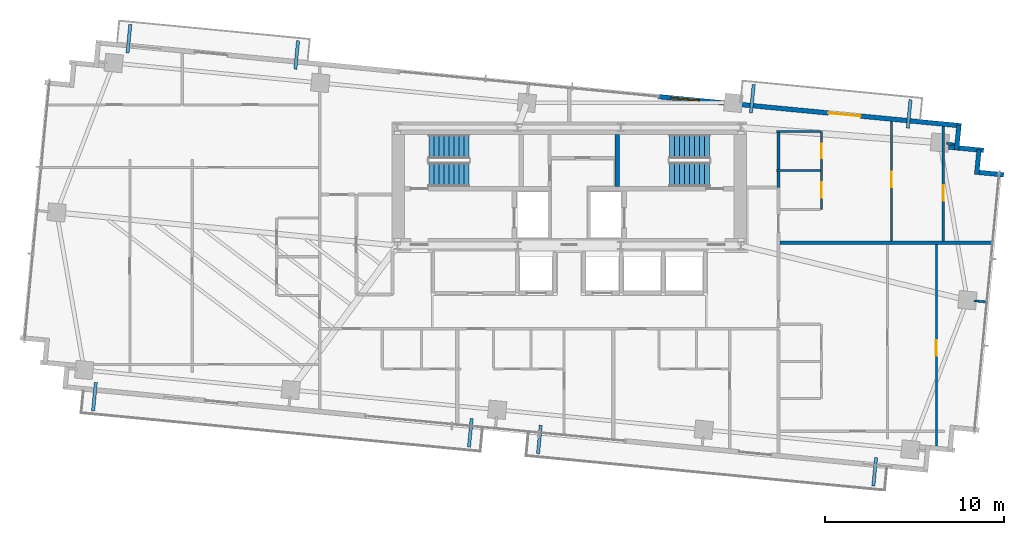
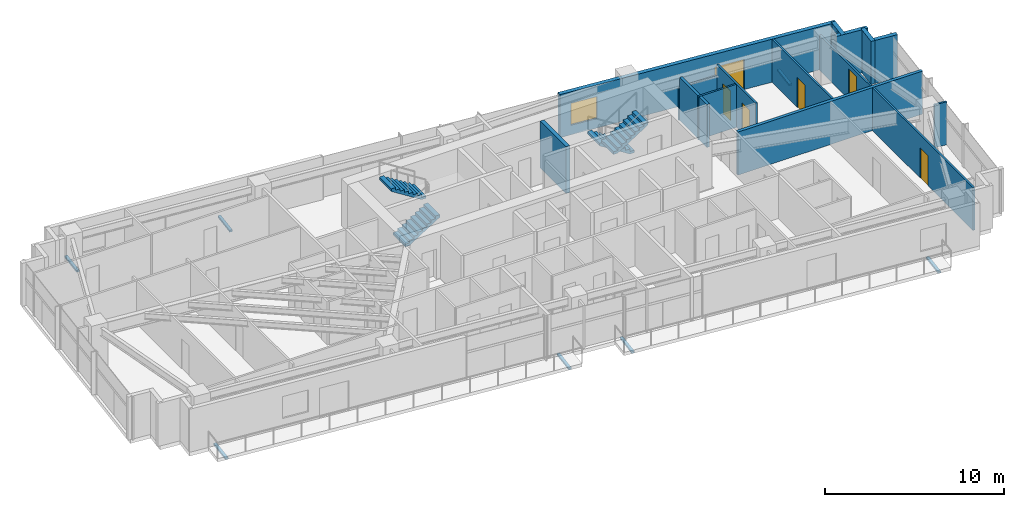
# One storey, part 17 of 19: 17 walls, 8 discrete accessories, 6 doors, 4 stair flights, 1 window, 7 openings, 2 elements without a shape of their own.
"""IFC4 building model written with IfcOpenShell, lengths in metres."""

from ifc_helpers import new_model, si_unit, direction, frame, frame_2d, origin, origin_2d, place, context, subcontext, project, spatial, polyline, rectangle, outline, extrude, source, transform, mapped, material, layer, layer_set, type_object, type_shapes, element, fill, aggregate, save


model = new_model("IFC4")

# Units and contexts
model_context = context("Model", 3, precision=1e-05, world=origin(), true_north=direction((0.0, 1.0)))
body_context = subcontext(model_context, "Body", "Model", "MODEL_VIEW")
ifc_project = project(units=[si_unit("LENGTHUNIT", "METRE"), si_unit("AREAUNIT", "SQUARE_METRE"), si_unit("VOLUMEUNIT", "CUBIC_METRE"), si_unit("PLANEANGLEUNIT", "RADIAN"), si_unit("MASSUNIT", "GRAM", prefix="KILO")], contexts=[model_context])

# Site, building, storey
site_placement = place(None, origin())
site = spatial("IfcSite", under=ifc_project, at=site_placement, CompositionType="ELEMENT")
building_placement = place(site_placement, origin())
building = spatial("IfcBuilding", under=site, at=building_placement, Name="Astriad Promenade Condominiums", CompositionType="ELEMENT")
storey_placement = place(building_placement, frame((0.0, 0.0, 143.800048828125)))
storey = spatial("IfcBuildingStorey", under=building, at=storey_placement, Name="L41", CompositionType="ELEMENT", Elevation=143.800048828125)

# Walls
ifc_material_1 = material(Name="Concrete C50/60", Category="concrete")
ifc_layer_1 = layer(ifc_material_1, 0.25)
ifc_layer_set_1 = layer_set([ifc_layer_1], Name="Concrete C50/60")
wall_type_1 = type_object("IfcWallType", Name="WALL-CORE-INT-250", PredefinedType="SOLIDWALL", material=ifc_layer_set_1)
wall_1_placement = place(storey_placement, frame((38.675048828125, 20.701904296875, 0.0), z_axis=(0.0, 0.0, 1.0), x_axis=(0.0, 1.0, 0.0)))
element("IfcWall", 1, at=wall_1_placement, inside=storey, type_object=wall_type_1, Name="CW-ST2-W-L41", PredefinedType="SOLIDWALL", context=body_context, shape_type="SweptSolid", body=[
    extrude(rectangle(XDim=2.89599609375, YDim=0.25, at=frame_2d((1.447998046875, 0.0))), origin(), (0.0, 0.0, 1.0), 3.199951171875),
])
ifc_material_2 = material(Name="Fire-Rated Gypsum Partition")
ifc_layer_2 = layer(ifc_material_2, 0.159912109375)
ifc_layer_set_2 = layer_set([ifc_layer_2], Name="Fire-Rated Gypsum Partition")
wall_type_2 = type_object("IfcWallType", Name="WALL-CORR-160", PredefinedType="PARTITIONING", material=ifc_layer_set_2)
wall_2_placement = place(storey_placement, frame((47.699951171875, 20.64990234375, 0.0), z_axis=(0.0, 0.0, 1.0), x_axis=(0.0, 1.0, 0.0)))
element("IfcWall", 2, at=wall_2_placement, inside=storey, type_object=wall_type_2, Name="PT-L41-E2-PBK", PredefinedType="PARTITIONING", context=body_context, shape_type="SweptSolid", body=[
    extrude(rectangle(XDim=0.883056640625, YDim=0.159912109375, at=frame_2d((0.44140625, 0.0))), origin(), (0.0, 0.0, 1.0), 2.93994140625),
])
wall_3_placement = place(storey_placement, frame((47.699951171875, 21.656982421875, 0.0), z_axis=(0.0, 0.0, 1.0), x_axis=(0.0, 1.0, 0.0)))
element("IfcWall", 3, at=wall_3_placement, inside=storey, type_object=wall_type_2, Name="PT-L41-E2-PBK-S2", PredefinedType="PARTITIONING", context=body_context, shape_type="SweptSolid", body=[
    extrude(rectangle(XDim=2.051025390625, YDim=0.159912109375, at=frame_2d((1.025390625, 0.0))), origin(), (0.0, 0.0, 1.0), 2.93994140625),
])
ifc_material_3 = material(Name="Acoustic Double-Stud Gypsum Partition")
ifc_layer_3 = layer(ifc_material_3, 0.199951171875)
ifc_layer_set_3 = layer_set([ifc_layer_3], Name="Acoustic Double-Stud Gypsum Partition")
wall_type_3 = type_object("IfcWallType", Name="WALL-DEMISING-200", PredefinedType="PARTITIONING", material=ifc_layer_set_3)
wall_4_placement = place(storey_placement, frame((47.781982421875, 17.550048828125, 0.0), z_axis=(0.0, 0.0, 1.0), x_axis=(1.0, 0.0, 0.0)))
element("IfcWall", 4, at=wall_4_placement, inside=storey, type_object=wall_type_3, Name="PT-DEM-EE-L41", PredefinedType="PARTITIONING", context=body_context, shape_type="SweptSolid", body=[
    extrude(rectangle(XDim=11.933837890625, YDim=0.199951171875, at=frame_2d((5.966796875, 0.0))), origin(), (0.0, 0.0, 1.0), 2.93994140625),
])

# Wall, openings, door, window
ifc_material_4 = material(Name="Precast concrete C50/60", Category="concrete")
ifc_layer_4 = layer(ifc_material_4, 0.260009765625)
ifc_layer_set_4 = layer_set([ifc_layer_4], Name="Precast concrete C50/60")
wall_type_4 = type_object("IfcWallType", Name="WALL-EXT-TWR-260", PredefinedType="STANDARD", material=ifc_layer_set_4)
wall_5_placement = place(storey_placement, frame((40.9833984375, 25.726806640625, 0.0), z_axis=(0.0, 0.0, 1.0), x_axis=(0.995395844771, -0.095849424686, 0.0)))
wall_5 = element("IfcWall", 5, at=wall_5_placement, inside=storey, type_object=wall_type_4, Name="W-EXT-L41-N2", PredefinedType="STANDARD", context=body_context, shape_type="SweptSolid", body=[
    extrude(rectangle(XDim=17.009765625, YDim=0.260009765625, at=frame_2d((8.5048828125, 0.0))), origin(), (0.0, 0.0, 1.0), 2.93994140625),
])
opening_1_placement = place(wall_5_placement, frame((9.550048828125, 0.0, 0.0)))
opening_1 = element("IfcOpeningElement", 6, at=opening_1_placement, cuts=wall_5, Name="Opening BD-1822-SLD", PredefinedType="OPENING", context=body_context, shape_type="SweptSolid", body=[
    extrude(rectangle(XDim=1.800048828125, YDim=2.06005859375, at=frame_2d((0.89990234375, 1.030029296875))), frame((0.0, 0.139892578125, 0.0), z_axis=(0.0, -1.0, 0.0), x_axis=(1.0, 0.0, 0.0)), (0.0, 0.0, 1.0), 0.280029296875),
])
opening_2_placement = place(wall_5_placement, frame((0.699951171875, 0.0, 0.64990234375)))
opening_2 = element("IfcOpeningElement", 7, at=opening_2_placement, cuts=wall_5, Name="Opening WIN-TWR-1620", PredefinedType="OPENING", context=body_context, shape_type="SweptSolid", body=[
    extrude(rectangle(XDim=1.60009765625, YDim=1.5, at=frame_2d((0.800048828125, 0.75))), frame((0.0, 0.139892578125, 0.0), z_axis=(0.0, -1.0, 0.0), x_axis=(1.0, 0.0, 0.0)), (0.0, 0.0, 1.0), 0.280029296875),
])
ifc_material_5 = material(Name="Thermally Broken Aluminium Sliding Balcony Door", Category="aluminium")
door_type_1 = type_object("IfcDoorType", Name="BD-1822-SLD", OperationType="NOTDEFINED", PredefinedType="DOOR", material=ifc_material_5)
shared_shape_1 = source(origin(), body_context, "Body", "SweptSolid", [
    extrude(rectangle(XDim=1.800048828125, YDim=2.06005859375, at=frame_2d((0.89990234375, 1.030029296875))), frame((0.0, 0.02490234375, 0.0), z_axis=(0.0, -1.0, 0.0), x_axis=(1.0, 0.0, 0.0)), (0.0, 0.0, 1.0), 0.050048828125),
])
type_shapes(door_type_1, [shared_shape_1])
door_1_placement = place(opening_1_placement, origin())
door_1 = element("IfcDoor", 8, at=door_1_placement, inside=storey, type_object=door_type_1, Name="BD-L41-NE", OperationType="SLIDING_TO_RIGHT", OverallHeight=2.06005859375, OverallWidth=1.800048828125, PredefinedType="DOOR", context=body_context, shape_type="MappedRepresentation", body=[
    mapped(shared_shape_1, transform((0.0, 0.0, 0.0), scale=1.0)),
])
fill(opening_1, door_1)
ifc_material_6 = material(Name="Dark Tinted Triple-Glazed Aluminium Window", Category="aluminium")
window_type = type_object("IfcWindowType", Name="WIN-TWR-1620", PartitioningType="SINGLE_PANEL", PredefinedType="WINDOW", material=ifc_material_6)
shared_shape_2 = source(origin(), body_context, "Body", "SweptSolid", [
    extrude(rectangle(XDim=1.60009765625, YDim=1.5, at=frame_2d((0.800048828125, 0.75))), frame((0.0, 0.030029296875, 0.0), z_axis=(0.0, -1.0, 0.0), x_axis=(1.0, 0.0, 0.0)), (0.0, 0.0, 1.0), 0.06005859375),
])
type_shapes(window_type, [shared_shape_2])
window_placement = place(opening_2_placement, origin())
window = element("IfcWindow", 9, at=window_placement, inside=storey, type_object=window_type, Name="WIN-L41-NE", OverallHeight=1.5, OverallWidth=1.60009765625, PartitioningType="SINGLE_PANEL", PredefinedType="WINDOW", context=body_context, shape_type="MappedRepresentation", body=[
    mapped(shared_shape_2, transform((0.0, 0.0, 0.0), scale=1.0)),
])
fill(opening_2, window)

# Walls
wall_6_placement = place(storey_placement, frame((57.787109375, 24.123779296875, 0.0), z_axis=(0.0, 0.0, 1.0), x_axis=(-0.095915846097, -0.995389446633, 0.0)))
element("IfcWall", 10, at=wall_6_placement, inside=storey, type_object=wall_type_4, Name="W-SER-L41-09", PredefinedType="STANDARD", context=body_context, shape_type="SweptSolid", body=[
    extrude(rectangle(XDim=1.394775390625, YDim=0.260009765625, at=frame_2d((0.697265625, 0.0))), origin(), (0.0, 0.0, 1.0), 2.93994140625),
])
wall_7_placement = place(storey_placement, frame((57.199951171875, 22.909423828125, 0.0), z_axis=(0.0, 0.0, 1.0), x_axis=(0.995401789159, -0.095787672171, 0.0)))
element("IfcWall", 11, at=wall_7_placement, inside=storey, type_object=wall_type_4, Name="W-SER-L41-10", PredefinedType="STANDARD", context=body_context, shape_type="SweptSolid", body=[
    extrude(rectangle(XDim=1.977783203125, YDim=0.260009765625, at=frame_2d((0.98876953125, 0.0))), origin(), (0.0, 0.0, 1.0), 2.93994140625),
])
for number, where, z_axis, x_axis, name in (
    (12, (58.91162109375, 22.759765625, 0.0), (0.0, 0.0, 1.0), (-0.096072523012, -0.995374336781, 0.0), "W-SER-L41-11"),
    (13, (58.904541015625, 21.489501953125, 0.0), (0.0, 0.0, 1.0), (0.995391056452, -0.09589913835, 0.0), "W-SER-L41-12"),
):
    element("IfcWall", number, at=place(storey_placement, frame(where, z_axis=z_axis, x_axis=x_axis)), inside=storey, type_object=wall_type_4, Name=name, PredefinedType="STANDARD", context=body_context, shape_type="SweptSolid", body=[
        extrude(rectangle(XDim=1.39501953125, YDim=0.260009765625, at=frame_2d((0.697509765625, 0.0))), origin(), (0.0, 0.0, 1.0), 2.93994140625),
    ])

# Wall, opening, door
ifc_material_7 = material(Name="Acoustic Metal-Stud Gypsum Partition")
ifc_layer_5 = layer(ifc_material_7, 0.1201171875)
ifc_layer_set_5 = layer_set([ifc_layer_5], Name="Acoustic Metal-Stud Gypsum Partition")
wall_type_5 = type_object("IfcWallType", Name="WALL-PART-120", PredefinedType="PARTITIONING", material=ifc_layer_set_5)
wall_8_placement = place(storey_placement, frame((56.52587890625, 6.189208984375, 0.0), z_axis=(0.0, 0.0, 1.0), x_axis=(0.0, 1.0, 0.0)))
wall_8 = element("IfcWall", 14, at=wall_8_placement, inside=storey, type_object=wall_type_5, Name="PT-L41-E1-B1", PredefinedType="PARTITIONING", context=body_context, shape_type="SweptSolid", body=[
    extrude(rectangle(XDim=11.2587890625, YDim=0.1201171875, at=frame_2d((5.62939453125, 0.0))), origin(), (0.0, 0.0, 1.0), 2.93994140625),
])
opening_3_placement = place(wall_8_placement, frame((5.06396484375, 0.0, 0.0)))
opening_3 = element("IfcOpeningElement", 15, at=opening_3_placement, cuts=wall_8, Name="Opening D-INT-085", PredefinedType="OPENING", context=body_context, shape_type="SweptSolid", body=[
    extrude(rectangle(XDim=0.85009765625, YDim=2.050048828125, at=frame_2d((0.425048828125, 1.02490234375))), frame((0.0, 0.070068359375, 0.0), z_axis=(0.0, -1.0, 0.0), x_axis=(1.0, 0.0, 0.0)), (0.0, 0.0, 1.0), 0.14013671875),
])
ifc_material_8 = material(Name="Painted Solid-Core Timber Room Door", Category="wood")
door_type_2 = type_object("IfcDoorType", Name="D-INT-085", OperationType="NOTDEFINED", PredefinedType="DOOR", material=ifc_material_8)
shared_shape_3 = source(origin(), body_context, "Body", "SweptSolid", [
    extrude(rectangle(XDim=0.85009765625, YDim=2.050048828125, at=frame_2d((0.425048828125, 1.02490234375))), frame((0.0, 0.02490234375, 0.0), z_axis=(0.0, -1.0, 0.0), x_axis=(1.0, 0.0, 0.0)), (0.0, 0.0, 1.0), 0.050048828125),
])
type_shapes(door_type_2, [shared_shape_3])
door_2_placement = place(opening_3_placement, origin())
door_2 = element("IfcDoor", 16, at=door_2_placement, inside=storey, type_object=door_type_2, Name="D-BD1-L41-E1", OperationType="SINGLE_SWING_RIGHT", OverallHeight=2.050048828125, OverallWidth=0.85009765625, PredefinedType="DOOR", context=body_context, shape_type="MappedRepresentation", body=[
    mapped(shared_shape_3, transform((0.0, 0.0, 0.0), scale=1.0)),
])
fill(opening_3, door_2)

# Wall, openings, doors
wall_9_placement = place(storey_placement, frame((50.10009765625, 19.419921875, 0.0), z_axis=(0.0, 0.0, 1.0), x_axis=(0.0, 1.0, 0.0)))
wall_9 = element("IfcWall", 17, at=wall_9_placement, inside=storey, type_object=wall_type_5, Name="PT-L41-E2-PV", PredefinedType="PARTITIONING", context=body_context, shape_type="SweptSolid", body=[
    extrude(rectangle(XDim=4.35009765625, YDim=0.1201171875, at=frame_2d((2.175048828125, 0.0))), origin(), (0.0, 0.0, 1.0), 2.93994140625),
])
opening_4_placement = place(wall_9_placement, frame((0.6630859375, 0.0, 0.0)))
opening_4 = element("IfcOpeningElement", 18, at=opening_4_placement, cuts=wall_9, Name="Opening D-INT-085", PredefinedType="OPENING", context=body_context, shape_type="SweptSolid", body=[
    extrude(rectangle(XDim=0.85009765625, YDim=2.050048828125, at=frame_2d((0.425048828125, 1.02490234375))), frame((0.0, 0.070068359375, 0.0), z_axis=(0.0, -1.0, 0.0), x_axis=(1.0, 0.0, 0.0)), (0.0, 0.0, 1.0), 0.14013671875),
])
opening_5_placement = place(wall_9_placement, frame((2.862060546875, 0.0, 0.0)))
opening_5 = element("IfcOpeningElement", 19, at=opening_5_placement, cuts=wall_9, Name="Opening D-WET-080", PredefinedType="OPENING", context=body_context, shape_type="SweptSolid", body=[
    extrude(rectangle(XDim=0.800048828125, YDim=2.02001953125, at=frame_2d((0.39990234375, 1.010009765625))), frame((0.0, 0.070068359375, 0.0), z_axis=(0.0, -1.0, 0.0), x_axis=(1.0, 0.0, 0.0)), (0.0, 0.0, 1.0), 0.14013671875),
])
ifc_material_9 = material(Name="Moisture-Resistant Timber Bathroom Door", Category="wood")
door_type_3 = type_object("IfcDoorType", Name="D-WET-080", OperationType="NOTDEFINED", PredefinedType="DOOR", material=ifc_material_9)
shared_shape_4 = source(origin(), body_context, "Body", "SweptSolid", [
    extrude(rectangle(XDim=0.800048828125, YDim=2.02001953125, at=frame_2d((0.39990234375, 1.010009765625))), frame((0.0, 0.02490234375, 0.0), z_axis=(0.0, -1.0, 0.0), x_axis=(1.0, 0.0, 0.0)), (0.0, 0.0, 1.0), 0.050048828125),
])
type_shapes(door_type_3, [shared_shape_4])
door_3_placement = place(opening_5_placement, origin())
door_3 = element("IfcDoor", 20, at=door_3_placement, inside=storey, type_object=door_type_3, Name="D-BTH-L41-E2", OperationType="SINGLE_SWING_LEFT", OverallHeight=2.02001953125, OverallWidth=0.800048828125, PredefinedType="DOOR", context=body_context, shape_type="MappedRepresentation", body=[
    mapped(shared_shape_4, transform((0.0, 0.0, 0.0), scale=1.0)),
])
fill(opening_5, door_3)
door_4_placement = place(opening_4_placement, origin())
door_4 = element("IfcDoor", 21, at=door_4_placement, inside=storey, type_object=door_type_2, Name="D-KIT-L41-E2", OperationType="SINGLE_SWING_RIGHT", OverallHeight=2.050048828125, OverallWidth=0.85009765625, PredefinedType="DOOR", context=body_context, shape_type="MappedRepresentation", body=[
    mapped(shared_shape_3, transform((0.0, 0.0, 0.0), scale=1.0)),
])
fill(opening_4, door_4)

# Walls
wall_10_placement = place(storey_placement, frame((47.580078125, 21.594970703125, 0.0), z_axis=(0.0, 0.0, 1.0), x_axis=(1.0, 0.0, 0.0)))
element("IfcWall", 22, at=wall_10_placement, inside=storey, type_object=wall_type_5, Name="PT-L41-E2-PM", PredefinedType="PARTITIONING", context=body_context, shape_type="SweptSolid", body=[
    extrude(rectangle(XDim=2.4580078125, YDim=0.1201171875, at=frame_2d((1.22900390625, 0.0))), origin(), (0.0, 0.0, 1.0), 2.93994140625),
])
wall_11_placement = place(storey_placement, frame((47.580078125, 23.77001953125, 0.0), z_axis=(0.0, 0.0, 1.0), x_axis=(1.0, 0.0, 0.0)))
element("IfcWall", 23, at=wall_11_placement, inside=storey, type_object=wall_type_5, Name="PT-L41-E2-PN", PredefinedType="PARTITIONING", context=body_context, shape_type="SweptSolid", body=[
    extrude(rectangle(XDim=2.4580078125, YDim=0.1201171875, at=frame_2d((1.22900390625, 0.0))), origin(), (0.0, 0.0, 1.0), 2.215576171875),
])

# Wall, opening, door
wall_12_placement = place(storey_placement, frame((56.910888671875, 17.652099609375, 0.0), z_axis=(0.0, 0.0, 1.0), x_axis=(0.0, 1.0, 0.0)))
wall_12 = element("IfcWall", 24, at=wall_12_placement, inside=storey, type_object=wall_type_5, Name="PT-L41-E2-B1", PredefinedType="PARTITIONING", context=body_context, shape_type="SweptSolid", body=[
    extrude(rectangle(XDim=6.408447265625, YDim=0.1201171875, at=frame_2d((3.2041015625, 0.0))), origin(), (0.0, 0.0, 1.0), 2.382568359375),
])
opening_6_placement = place(wall_12_placement, frame((2.26611328125, 0.0, 0.0)))
opening_6 = element("IfcOpeningElement", 25, at=opening_6_placement, cuts=wall_12, Name="Opening D-INT-085", PredefinedType="OPENING", context=body_context, shape_type="SweptSolid", body=[
    extrude(rectangle(XDim=0.85009765625, YDim=2.050048828125, at=frame_2d((0.425048828125, 1.02490234375))), frame((0.0, 0.070068359375, 0.0), z_axis=(0.0, -1.0, 0.0), x_axis=(1.0, 0.0, 0.0)), (0.0, 0.0, 1.0), 0.14013671875),
])
door_5_placement = place(opening_6_placement, origin())
door_5 = element("IfcDoor", 26, at=door_5_placement, inside=storey, type_object=door_type_2, Name="D-BD1-L41-E2", OperationType="SINGLE_SWING_RIGHT", OverallHeight=2.050048828125, OverallWidth=0.85009765625, PredefinedType="DOOR", context=body_context, shape_type="MappedRepresentation", body=[
    mapped(shared_shape_3, transform((0.0, 0.0, 0.0), scale=1.0)),
])
fill(opening_6, door_5)

wall_13_placement = place(storey_placement, frame((54.01611328125, 17.652099609375, 0.0), z_axis=(0.0, 0.0, 1.0), x_axis=(0.0, 1.0, 0.0)))
wall_13 = element("IfcWall", 27, at=wall_13_placement, inside=storey, type_object=wall_type_5, Name="PT-L41-E2-WDV1", PredefinedType="PARTITIONING", context=body_context, shape_type="SweptSolid", body=[
    extrude(rectangle(XDim=6.68701171875, YDim=0.1201171875, at=frame_2d((3.343505859375, 0.0))), origin(), (0.0, 0.0, 1.0), 2.93994140625),
])
opening_7_placement = place(wall_13_placement, frame((3.01611328125, 0.0, 0.0)))
opening_7 = element("IfcOpeningElement", 28, at=opening_7_placement, cuts=wall_13, Name="Opening D-INT-085", PredefinedType="OPENING", context=body_context, shape_type="SweptSolid", body=[
    extrude(rectangle(XDim=0.85009765625, YDim=2.050048828125, at=frame_2d((0.425048828125, 1.02490234375))), frame((0.0, 0.070068359375, 0.0), z_axis=(0.0, -1.0, 0.0), x_axis=(1.0, 0.0, 0.0)), (0.0, 0.0, 1.0), 0.14013671875),
])
door_6_placement = place(opening_7_placement, origin())
door_6 = element("IfcDoor", 29, at=door_6_placement, inside=storey, type_object=door_type_2, Name="D-WDV1-L41-E2", OperationType="SINGLE_SWING_LEFT", OverallHeight=2.050048828125, OverallWidth=0.85009765625, PredefinedType="DOOR", context=body_context, shape_type="MappedRepresentation", body=[
    mapped(shared_shape_3, transform((0.0, 0.0, 0.0), scale=1.0)),
])
fill(opening_7, door_6)

# Walls
wall_14_placement = place(storey_placement, frame((57.09765625, 23.120361328125, 0.0), z_axis=(0.0, 0.0, 1.0), x_axis=(0.995384576284, -0.09596637586, 0.0)))
element("IfcWall", 30, at=wall_14_placement, inside=storey, type_object=wall_type_5, Name="PT-PIL-L41-PC10-17", PredefinedType="PARTITIONING", context=body_context, shape_type="SweptSolid", body=[
    extrude(rectangle(XDim=0.4580078125, YDim=0.1201171875, at=frame_2d((0.22900390625, 0.0))), origin(), (0.0, 0.0, 1.0), 2.93994140625),
])
wall_15_placement = place(storey_placement, frame((58.640380859375, 14.31201171875, 0.0), z_axis=(0.0, 0.0, 1.0), x_axis=(0.995377786728, -0.096036772582, 0.0)))
element("IfcWall", 31, at=wall_15_placement, inside=storey, type_object=wall_type_5, Name="PT-PIL-L41-PC12-19", PredefinedType="PARTITIONING", context=body_context, shape_type="SweptSolid", body=[
    extrude(rectangle(XDim=0.760009765625, YDim=0.1201171875, at=frame_2d((0.3798828125, 0.0))), origin(), (0.0, 0.0, 1.0), 2.93994140625),
])

# Stair, stair flights
stair_type = type_object("IfcStairType", Name="STR-CORE-1350", PredefinedType="HALF_TURN_STAIR", material=ifc_material_1)
stair_1_placement = place(storey_placement, origin())
stair_1 = element("IfcStair", 32, at=stair_1_placement, inside=storey, type_object=stair_type, Name="L41 Enclosed Core Exit Stair ST-1", PredefinedType="HALF_TURN_STAIR")
stair_flight_type = type_object("IfcStairFlightType", Name="SFL-CORE-1350", PredefinedType="STRAIGHT", material=ifc_material_1)
shared_shape_5 = source(origin(), body_context, "Body", "SweptSolid", [
    extrude(outline(polyline([(0.0, 0.0), (0.0, 0.177734375), (0.280029296875, 0.177734375), (0.280029296875, 0.35546875), (0.56005859375, 0.35546875), (0.56005859375, 0.533447265625), (0.840087890625, 0.533447265625), (0.840087890625, 0.711181640625), (1.1201171875, 0.711181640625), (1.1201171875, 0.888916015625), (1.39990234375, 0.888916015625), (1.39990234375, 1.066650390625), (1.679931640625, 1.066650390625), (1.679931640625, 1.244384765625), (1.9599609375, 1.244384765625), (1.9599609375, 1.422119140625), (2.239990234375, 1.422119140625), (2.239990234375, 1.60009765625), (2.239990234375, 1.24462890625), (0.27978515625, 0.0), (0.0, 0.0)])), frame((0.0, 0.675048828125, 0.0), z_axis=(0.0, -1.0, 0.0), x_axis=(1.0, 0.0, 0.0)), (0.0, 0.0, 1.0), 1.35009765625),
])
type_shapes(stair_flight_type, [shared_shape_5])
stair_flight_1_placement = place(storey_placement, frame((28.14990234375, 21.375, 0.0), z_axis=(0.0, 0.0, 1.0), x_axis=(1.0, 0.0, 0.0)))
stair_flight_1 = element("IfcStairFlight", 33, at=stair_flight_1_placement, type_object=stair_flight_type, Name="ST-1 flight 1", NumberOfRisers=9, NumberOfTreads=8, PredefinedType="STRAIGHT", RiserHeight=0.177777778, TreadLength=0.28, context=body_context, shape_type="MappedRepresentation", body=[
    mapped(shared_shape_5, transform((0.0, 0.0, 0.0), scale=1.0)),
])
stair_flight_2_placement = place(storey_placement, frame((30.389892578125, 22.925048828125, 1.599853515625), z_axis=(0.0, 0.0, 1.0), x_axis=(-1.0, 0.0, 0.0)))
stair_flight_2 = element("IfcStairFlight", 34, at=stair_flight_2_placement, type_object=stair_flight_type, Name="ST-1 flight 2", NumberOfRisers=9, NumberOfTreads=8, PredefinedType="STRAIGHT", RiserHeight=0.177777778, TreadLength=0.28, context=body_context, shape_type="MappedRepresentation", body=[
    mapped(shared_shape_5, transform((0.0, 0.0, 0.0), scale=1.0)),
])
aggregate(stair_1, [stair_flight_1, stair_flight_2])

stair_2_placement = place(storey_placement, origin())
stair_2 = element("IfcStair", 35, at=stair_2_placement, inside=storey, type_object=stair_type, Name="L41 Enclosed Core Exit Stair ST-2", PredefinedType="HALF_TURN_STAIR")
stair_flight_3_placement = place(storey_placement, frame((43.85009765625, 22.925048828125, 0.0), z_axis=(0.0, 0.0, 1.0), x_axis=(-1.0, 0.0, 0.0)))
stair_flight_3 = element("IfcStairFlight", 36, at=stair_flight_3_placement, type_object=stair_flight_type, Name="ST-2 flight 1", NumberOfRisers=9, NumberOfTreads=8, PredefinedType="STRAIGHT", RiserHeight=0.177777778, TreadLength=0.28, context=body_context, shape_type="MappedRepresentation", body=[
    mapped(shared_shape_5, transform((0.0, 0.0, 0.0), scale=1.0)),
])
stair_flight_4_placement = place(storey_placement, frame((41.610107421875, 21.375, 1.599853515625), z_axis=(0.0, 0.0, 1.0), x_axis=(1.0, 0.0, 0.0)))
stair_flight_4 = element("IfcStairFlight", 37, at=stair_flight_4_placement, type_object=stair_flight_type, Name="ST-2 flight 2", NumberOfRisers=9, NumberOfTreads=8, PredefinedType="STRAIGHT", RiserHeight=0.177777778, TreadLength=0.28, context=body_context, shape_type="MappedRepresentation", body=[
    mapped(shared_shape_5, transform((0.0, 0.0, 0.0), scale=1.0)),
])
aggregate(stair_2, [stair_flight_3, stair_flight_4])

# Discrete accessories
ifc_material_10 = material(Name="Steel ASTM A572 Grade 50", Category="steel")
discrete_accessory_type = type_object("IfcDiscreteAccessoryType", Name="STEEL BALCONY OUTRIGGER BRACKET", PredefinedType="BRACKET", material=ifc_material_10)
shared_shape_6 = source(origin(), body_context, "Body", "SweptSolid", [
    extrude(rectangle(XDim=1.60009765625, YDim=0.179931640625, at=origin_2d()), origin(), (0.0, 0.0, 1.0), 0.1220703125),
])
type_shapes(discrete_accessory_type, [shared_shape_6])
for number, where, z_axis, x_axis, name in (
    (38, (9.457275390625, 8.951171875, -0.340087890625), (0.0, 0.0, 1.0), (-0.09584575252, -0.995396198367, 0.0), "Balcony Outrigger Bracket BAL-L41-SW-A"),
    (39, (30.47119140625, 6.927734375, -0.340087890625), (0.0, 0.0, 1.0), (-0.09584575252, -0.995396198367, 0.0), "Balcony Outrigger Bracket BAL-L41-SW-B"),
    (40, (34.331298828125, 6.55615234375, -0.340087890625), (0.0, 0.0, 1.0), (-0.09584575252, -0.995396198367, 0.0), "Balcony Outrigger Bracket BAL-L41-SE-A"),
    (41, (53.077392578125, 4.7509765625, -0.340087890625), (0.0, 0.0, 1.0), (-0.09584575252, -0.995396198367, 0.0), "Balcony Outrigger Bracket BAL-L41-SE-B"),
    (42, (11.3837890625, 28.95849609375, -0.340087890625), (0.0, 0.0, 1.0), (0.09584575252, 0.995396198367, 0.0), "Balcony Outrigger Bracket BAL-L41-NW-A"),
    (43, (20.763427734375, 28.055419921875, -0.340087890625), (0.0, 0.0, 1.0), (0.09584575252, 0.995396198367, 0.0), "Balcony Outrigger Bracket BAL-L41-NW-B"),
    (44, (46.235595703125, 25.602783203125, -0.340087890625), (0.0, 0.0, 1.0), (0.09584575252, 0.995396198367, 0.0), "Balcony Outrigger Bracket BAL-L41-NE-A"),
    (45, (55.00390625, 24.758544921875, -0.340087890625), (0.0, 0.0, 1.0), (0.09584575252, 0.995396198367, 0.0), "Balcony Outrigger Bracket BAL-L41-NE-B"),
):
    element("IfcDiscreteAccessory", number, at=place(storey_placement, frame(where, z_axis=z_axis, x_axis=x_axis)), inside=storey, type_object=discrete_accessory_type, Name=name, PredefinedType="BRACKET", context=body_context, shape_type="MappedRepresentation", body=[
        mapped(shared_shape_6, transform((0.0, 0.0, 0.0), scale=1.0)),
    ])

save(model, "model.ifc")
